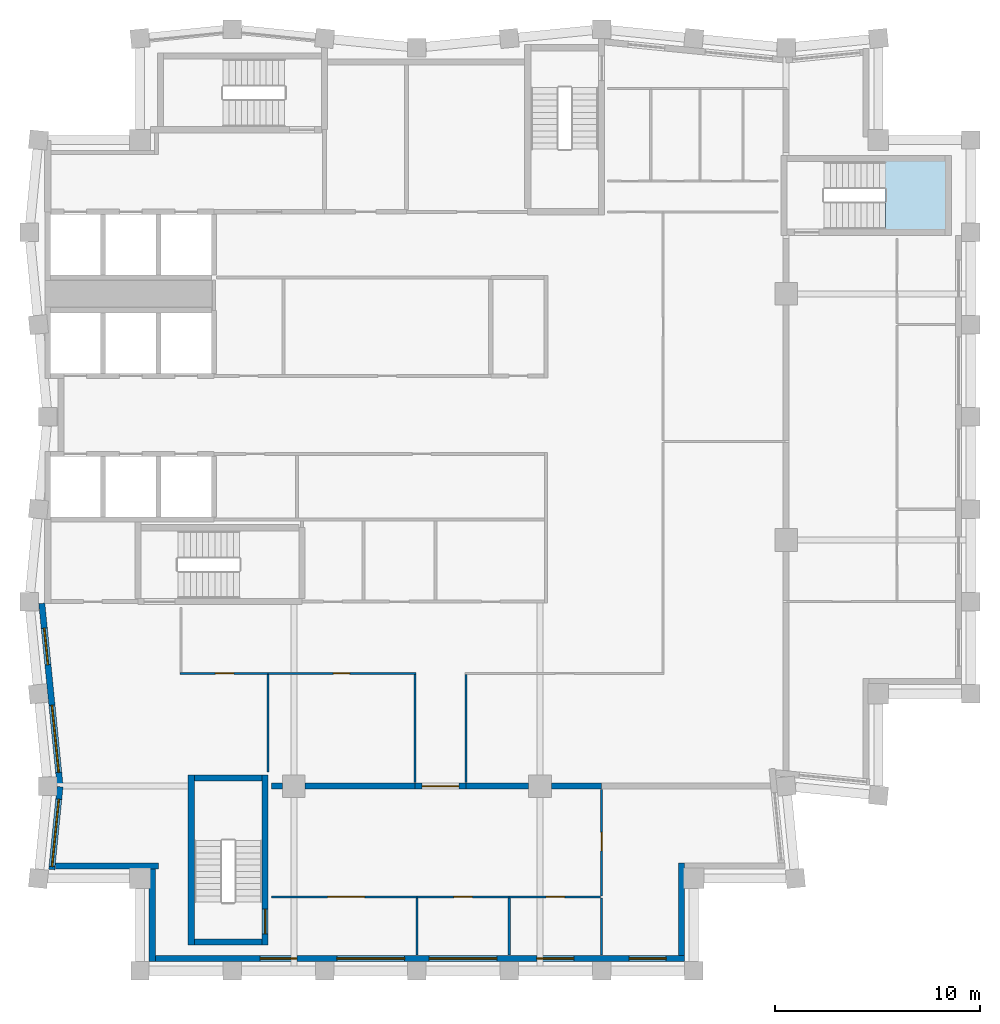
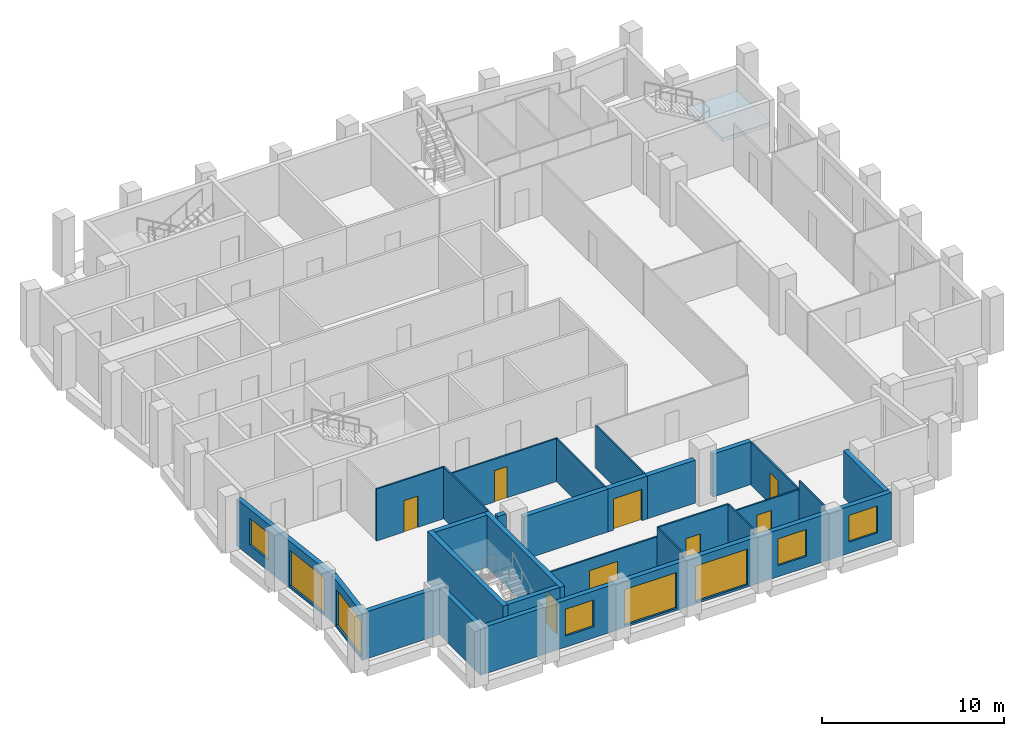
# One storey, part 2 of 7: 27 walls, 8 doors, 8 windows, 1 slab, 16 openings, 1 element without a shape of its own.
"""IFC4 building model written with IfcOpenShell, lengths in metres."""

from ifc_helpers import new_model, si_unit, direction, frame, frame_2d, origin, place, context, subcontext, project, spatial, polyline, rectangle, outline, extrude, material, layer, layer_set, type_object, element, fill, aggregate, save


model = new_model("IFC4")

# Units and contexts
model_context = context("Model", 3, precision=1e-05, world=origin(), true_north=direction((0.0, 1.0)))
body_context = subcontext(model_context, "Body", "Model", "MODEL_VIEW")
ifc_project = project(units=[si_unit("LENGTHUNIT", "METRE"), si_unit("AREAUNIT", "SQUARE_METRE"), si_unit("VOLUMEUNIT", "CUBIC_METRE"), si_unit("PLANEANGLEUNIT", "RADIAN"), si_unit("MASSUNIT", "GRAM", prefix="KILO")], contexts=[model_context])

# Site, building, storey
site_placement = place(None, origin())
site = spatial("IfcSite", under=ifc_project, at=site_placement, CompositionType="ELEMENT")
building_placement = place(site_placement, origin())
building = spatial("IfcBuilding", under=site, at=building_placement, Name="Brondeck Convention Tower", CompositionType="ELEMENT")
storey_placement = place(building_placement, frame((0.0, 0.0, 271.39990234375)))
storey = spatial("IfcBuildingStorey", under=building, at=storey_placement, Name="L67", CompositionType="ELEMENT", Elevation=271.39990234375)

# Stair, slab
ifc_material_1 = material(Name="Precast concrete C50/60", Category="concrete")
stair_type = type_object("IfcStairType", Name="Core stair 22 risers 172.73 mm riser 300 mm going 1350 wide", PredefinedType="HALF_TURN_STAIR", material=ifc_material_1)
stair_placement = place(storey_placement, origin())
stair = element("IfcStair", 1, at=stair_placement, inside=storey, type_object=stair_type, Name="ST-AE L67 stair", PredefinedType="HALF_TURN_STAIR")
ifc_layer_1 = layer(ifc_material_1, 0.25)
ifc_layer_set_1 = layer_set([ifc_layer_1], Name="Core stair landing 250 Precast concrete C50/60")
slab_type = type_object("IfcSlabType", Name="Core stair landing 250 Precast concrete C50/60", PredefinedType="LANDING", material=ifc_layer_set_1)
slab_placement = place(storey_placement, frame((0.0, 0.0, 1.650146484375)))
slab = element("IfcSlab", 2, at=slab_placement, type_object=slab_type, Name="ST-AE landing 1", PredefinedType="LANDING", context=body_context, shape_type="SweptSolid", body=[
    extrude(outline(polyline([(40.847900390625, 55.5), (40.85009765625, 55.5), (40.85009765625, 56.10009765625), (40.550048828125, 56.10009765625), (40.550048828125, 57.570068359375), (43.8701171875, 57.570068359375), (43.8701171875, 54.030029296875), (40.847900390625, 54.030029296875), (40.847900390625, 55.5)])), origin(), (0.0, 0.0, 1.0), 0.25),
])
aggregate(stair, [slab])

# Walls
ifc_material_2 = material(Name="Concrete compartment wall C30/37", Category="concrete")
ifc_layer_2 = layer(ifc_material_2, 0.300048828125)
ifc_layer_set_2 = layer_set([ifc_layer_2], Name="Compartment wall 300")
wall_type_1 = type_object("IfcWallType", Name="Compartment wall 300", PredefinedType="PARTITIONING", material=ifc_layer_set_2)
wall_1_placement = place(storey_placement, frame((10.89990234375, 27.0, 0.0), z_axis=(0.0, 0.0, 1.0), x_axis=(1.0, 0.0, 0.0)))
element("IfcWall", 3, at=wall_1_placement, inside=storey, type_object=wall_type_1, Name="FLR-L67-W013", PredefinedType="PARTITIONING", context=body_context, shape_type="SweptSolid", body=[
    extrude(rectangle(XDim=0.545166015625, YDim=0.300048828125, at=frame_2d((0.2724609375, 0.0))), origin(), (0.0, 0.0, 1.0), 3.47998046875),
])
wall_2_placement = place(storey_placement, frame((12.554931640625, 27.0, 0.0), z_axis=(0.0, 0.0, 1.0), x_axis=(1.0, 0.0, 0.0)))
element("IfcWall", 4, at=wall_2_placement, inside=storey, type_object=wall_type_1, Name="FLR-L67-W014", PredefinedType="PARTITIONING", context=body_context, shape_type="SweptSolid", body=[
    extrude(rectangle(XDim=5.344970703125, YDim=0.300048828125, at=frame_2d((2.67236328125, 0.0))), origin(), (0.0, 0.0, 1.0), 2.880126953125),
])

# Wall, opening, door
wall_3_placement = place(storey_placement, frame((20.39990234375, 27.0, 0.0), z_axis=(0.0, 0.0, 1.0), x_axis=(-1.0, 0.0, 0.0)))
wall_3 = element("IfcWall", 5, at=wall_3_placement, inside=storey, type_object=wall_type_1, Name="FLR-L67-W015", PredefinedType="PARTITIONING", context=body_context, shape_type="SweptSolid", body=[
    extrude(rectangle(XDim=2.5, YDim=0.300048828125, at=frame_2d((1.25, 0.0))), origin(), (0.0, 0.0, 1.0), 2.880126953125),
])
opening_1_placement = place(wall_3_placement, frame((0.35009765625, 0.0, 0.0)))
opening_1 = element("IfcOpeningElement", 6, at=opening_1_placement, cuts=wall_3, Name="Opening EX-C-018", PredefinedType="OPENING", context=body_context, shape_type="SweptSolid", body=[
    extrude(rectangle(XDim=1.800048828125, YDim=2.10009765625, at=frame_2d((0.89990234375, 1.050048828125))), frame((0.0, 0.159912109375, 0.0), z_axis=(0.0, -1.0, 0.0), x_axis=(1.0, 0.0, 0.0)), (0.0, 0.0, 1.0), 0.320068359375),
])
ifc_material_3 = material(Name="Steel fire door pair", Category="steel")
door_type_1 = type_object("IfcDoorType", Name="Fire door pair 1800", OperationType="DOUBLE_DOOR_SINGLE_SWING", PredefinedType="DOOR", material=ifc_material_3)
door_1_placement = place(opening_1_placement, origin())
door_1 = element("IfcDoor", 7, at=door_1_placement, inside=storey, type_object=door_type_1, Name="Door EX-C-018", OperationType="DOUBLE_DOOR_SINGLE_SWING", OverallHeight=2.10009765625, OverallWidth=1.800048828125, PredefinedType="DOOR", context=body_context, shape_type="SweptSolid", body=[
    extrude(rectangle(XDim=1.800048828125, YDim=2.10009765625, at=frame_2d((0.89990234375, 1.050048828125))), frame((0.0, 0.02490234375, 0.0), z_axis=(0.0, -1.0, 0.0), x_axis=(1.0, 0.0, 0.0)), (0.0, 0.0, 1.0), 0.050048828125),
])
fill(opening_1, door_1)

# Walls
wall_4_placement = place(storey_placement, frame((20.39990234375, 27.0, 0.0), z_axis=(0.0, 0.0, 1.0), x_axis=(1.0, 0.0, 0.0)))
element("IfcWall", 8, at=wall_4_placement, inside=storey, type_object=wall_type_1, Name="FLR-L67-W016", PredefinedType="PARTITIONING", context=body_context, shape_type="SweptSolid", body=[
    extrude(rectangle(XDim=3.045166015625, YDim=0.300048828125, at=frame_2d((1.5224609375, 0.0))), origin(), (0.0, 0.0, 1.0), 2.880126953125),
])
wall_5_placement = place(storey_placement, frame((24.554931640625, 27.0, 0.0), z_axis=(0.0, 0.0, 1.0), x_axis=(1.0, 0.0, 0.0)))
element("IfcWall", 9, at=wall_5_placement, inside=storey, type_object=wall_type_1, Name="FLR-L67-W017", PredefinedType="PARTITIONING", context=body_context, shape_type="SweptSolid", body=[
    extrude(rectangle(XDim=2.445068359375, YDim=0.300048828125, at=frame_2d((1.22265625, 0.0))), origin(), (0.0, 0.0, 1.0), 2.880126953125),
])

# Wall, openings, windows
ifc_material_4 = material(Name="Precast concrete C50/60 bronze finish", Category="concrete")
ifc_layer_3 = layer(ifc_material_4, 0.070068359375, Name="Bronze precast facing")
ifc_material_5 = material(Name="Mineral wool")
ifc_layer_4 = layer(ifc_material_5, 0.159912109375, Name="Insulation")
ifc_material_6 = material(Name="Concrete C35/45", Category="concrete")
ifc_layer_5 = layer(ifc_material_6, 0.070068359375, Name="Backing")
ifc_layer_set_3 = layer_set([ifc_layer_3, ifc_layer_4, ifc_layer_5], Name="External infill wall, precast concrete C50/60 bronze facing")
wall_type_2 = type_object("IfcWallType", Name="External infill wall, precast concrete C50/60 bronze facing", PredefinedType="SOLIDWALL", material=ifc_layer_set_3)
wall_6_placement = place(storey_placement, frame((31.050048828125, 18.60009765625, 0.0), z_axis=(0.0, 0.0, 1.0), x_axis=(-1.0, 0.0, 0.0)))
wall_6 = element("IfcWall", 10, at=wall_6_placement, inside=storey, type_object=wall_type_2, Name="ENV-EW-L67-P3-B-S18-01", PredefinedType="SOLIDWALL", context=body_context, shape_type="SweptSolid", body=[
    extrude(rectangle(XDim=25.800048828125, YDim=0.300048828125, at=frame_2d((12.89990234375, 0.0))), origin(), (0.0, 0.0, 1.0), 3.150146484375),
])
opening_2_placement = place(wall_6_placement, frame((0.89990234375, 0.0, 0.75)))
opening_2 = element("IfcOpeningElement", 11, at=opening_2_placement, cuts=wall_6, Name="Opening W10", PredefinedType="OPENING", context=body_context, shape_type="SweptSolid", body=[
    extrude(rectangle(XDim=1.800048828125, YDim=1.800048828125, at=frame_2d((0.89990234375, 0.89990234375))), frame((0.0, 0.159912109375, 0.0), z_axis=(0.0, -1.0, 0.0), x_axis=(1.0, 0.0, 0.0)), (0.0, 0.0, 1.0), 0.320068359375),
])
opening_3_placement = place(wall_6_placement, frame((5.39990234375, 0.0, 0.75)))
opening_3 = element("IfcOpeningElement", 12, at=opening_3_placement, cuts=wall_6, Name="Opening W10", PredefinedType="OPENING", context=body_context, shape_type="SweptSolid", body=[
    extrude(rectangle(XDim=1.800048828125, YDim=1.800048828125, at=frame_2d((0.89990234375, 0.89990234375))), frame((0.0, 0.159912109375, 0.0), z_axis=(0.0, -1.0, 0.0), x_axis=(1.0, 0.0, 0.0)), (0.0, 0.0, 1.0), 0.320068359375),
])
opening_4_placement = place(wall_6_placement, frame((9.14990234375, 0.0, 0.14990234375)))
opening_4 = element("IfcOpeningElement", 13, at=opening_4_placement, cuts=wall_6, Name="Opening W9", PredefinedType="OPENING", context=body_context, shape_type="SweptSolid", body=[
    extrude(rectangle(XDim=3.300048828125, YDim=2.39990234375, at=frame_2d((1.64990234375, 1.199951171875))), frame((0.0, 0.159912109375, 0.0), z_axis=(0.0, -1.0, 0.0), x_axis=(1.0, 0.0, 0.0)), (0.0, 0.0, 1.0), 0.320068359375),
])
opening_5_placement = place(wall_6_placement, frame((13.64990234375, 0.0, 0.14990234375)))
opening_5 = element("IfcOpeningElement", 14, at=opening_5_placement, cuts=wall_6, Name="Opening W9", PredefinedType="OPENING", context=body_context, shape_type="SweptSolid", body=[
    extrude(rectangle(XDim=3.300048828125, YDim=2.39990234375, at=frame_2d((1.64990234375, 1.199951171875))), frame((0.0, 0.159912109375, 0.0), z_axis=(0.0, -1.0, 0.0), x_axis=(1.0, 0.0, 0.0)), (0.0, 0.0, 1.0), 0.320068359375),
])
opening_6_placement = place(wall_6_placement, frame((18.89990234375, 0.0, 0.75)))
opening_6 = element("IfcOpeningElement", 15, at=opening_6_placement, cuts=wall_6, Name="Opening W10", PredefinedType="OPENING", context=body_context, shape_type="SweptSolid", body=[
    extrude(rectangle(XDim=1.800048828125, YDim=1.800048828125, at=frame_2d((0.89990234375, 0.89990234375))), frame((0.0, 0.159912109375, 0.0), z_axis=(0.0, -1.0, 0.0), x_axis=(1.0, 0.0, 0.0)), (0.0, 0.0, 1.0), 0.320068359375),
])
ifc_material_7 = material(Name="Bronze tinted double glazing", Category="glass")
window_type_1 = type_object("IfcWindowType", Name="Glazed flute window, bronze tinted", PartitioningType="SINGLE_PANEL", PredefinedType="WINDOW", material=ifc_material_7)
window_1_placement = place(opening_4_placement, origin())
window_1 = element("IfcWindow", 16, at=window_1_placement, inside=storey, type_object=window_type_1, Name="ENV-WN-L67-P3-B-S18-04", OverallHeight=2.39990234375, OverallWidth=3.300048828125, PartitioningType="SINGLE_PANEL", PredefinedType="WINDOW", context=body_context, shape_type="SweptSolid", body=[
    extrude(rectangle(XDim=3.300048828125, YDim=2.39990234375, at=frame_2d((1.64990234375, 1.199951171875))), frame((0.0, 0.030029296875, 0.0), z_axis=(0.0, -1.0, 0.0), x_axis=(1.0, 0.0, 0.0)), (0.0, 0.0, 1.0), 0.06005859375),
])
fill(opening_4, window_1)
window_2_placement = place(opening_5_placement, origin())
window_2 = element("IfcWindow", 17, at=window_2_placement, inside=storey, type_object=window_type_1, Name="ENV-WN-L67-P3-B-S18-03", OverallHeight=2.39990234375, OverallWidth=3.300048828125, PartitioningType="SINGLE_PANEL", PredefinedType="WINDOW", context=body_context, shape_type="SweptSolid", body=[
    extrude(rectangle(XDim=3.300048828125, YDim=2.39990234375, at=frame_2d((1.64990234375, 1.199951171875))), frame((0.0, 0.030029296875, 0.0), z_axis=(0.0, -1.0, 0.0), x_axis=(1.0, 0.0, 0.0)), (0.0, 0.0, 1.0), 0.06005859375),
])
fill(opening_5, window_2)
window_type_2 = type_object("IfcWindowType", Name="Punched window, bronze tinted", PartitioningType="SINGLE_PANEL", PredefinedType="WINDOW", material=ifc_material_7)
window_3_placement = place(opening_2_placement, origin())
window_3 = element("IfcWindow", 18, at=window_3_placement, inside=storey, type_object=window_type_2, Name="ENV-WN-L67-P3-B-S18-06", OverallHeight=1.800048828125, OverallWidth=1.800048828125, PartitioningType="SINGLE_PANEL", PredefinedType="WINDOW", context=body_context, shape_type="SweptSolid", body=[
    extrude(rectangle(XDim=1.800048828125, YDim=1.800048828125, at=frame_2d((0.89990234375, 0.89990234375))), frame((0.0, 0.030029296875, 0.0), z_axis=(0.0, -1.0, 0.0), x_axis=(1.0, 0.0, 0.0)), (0.0, 0.0, 1.0), 0.06005859375),
])
fill(opening_2, window_3)
window_4_placement = place(opening_3_placement, origin())
window_4 = element("IfcWindow", 19, at=window_4_placement, inside=storey, type_object=window_type_2, Name="ENV-WN-L67-P3-B-S18-05", OverallHeight=1.800048828125, OverallWidth=1.800048828125, PartitioningType="SINGLE_PANEL", PredefinedType="WINDOW", context=body_context, shape_type="SweptSolid", body=[
    extrude(rectangle(XDim=1.800048828125, YDim=1.800048828125, at=frame_2d((0.89990234375, 0.89990234375))), frame((0.0, 0.030029296875, 0.0), z_axis=(0.0, -1.0, 0.0), x_axis=(1.0, 0.0, 0.0)), (0.0, 0.0, 1.0), 0.06005859375),
])
fill(opening_3, window_4)
window_5_placement = place(opening_6_placement, origin())
window_5 = element("IfcWindow", 20, at=window_5_placement, inside=storey, type_object=window_type_2, Name="ENV-WN-L67-P3-B-S18-02", OverallHeight=1.800048828125, OverallWidth=1.800048828125, PartitioningType="SINGLE_PANEL", PredefinedType="WINDOW", context=body_context, shape_type="SweptSolid", body=[
    extrude(rectangle(XDim=1.800048828125, YDim=1.800048828125, at=frame_2d((0.89990234375, 0.89990234375))), frame((0.0, 0.030029296875, 0.0), z_axis=(0.0, -1.0, 0.0), x_axis=(1.0, 0.0, 0.0)), (0.0, 0.0, 1.0), 0.06005859375),
])
fill(opening_6, window_5)

# Wall
wall_7_placement = place(storey_placement, frame((30.89990234375, 23.25, 0.0), z_axis=(0.0, 0.0, 1.0), x_axis=(0.0, -1.0, 0.0)))
element("IfcWall", 21, at=wall_7_placement, inside=storey, type_object=wall_type_2, Name="ENV-EW-L67-P3-NC-SEB18-01", PredefinedType="SOLIDWALL", context=body_context, shape_type="SweptSolid", body=[
    extrude(rectangle(XDim=4.5, YDim=0.300048828125, at=frame_2d((2.25, 0.0))), origin(), (0.0, 0.0, 1.0), 3.150146484375),
])

# Wall, openings, windows
wall_8_placement = place(storey_placement, frame((0.6044921875, 26.985107421875, 0.0), z_axis=(0.0, 0.0, 1.0), x_axis=(-0.099509108728, 0.995036651225, 0.0)))
wall_8 = element("IfcWall", 22, at=wall_8_placement, inside=storey, type_object=wall_type_2, Name="ENV-EW-L67-P3-B-W-06", PredefinedType="SOLIDWALL", context=body_context, shape_type="SweptSolid", body=[
    extrude(rectangle(XDim=8.9697265625, YDim=0.300048828125, at=frame_2d((4.48486328125, 0.0))), origin(), (0.0, 0.0, 1.0), 3.150146484375),
])
opening_7_placement = place(wall_8_placement, frame((0.686279296875, 0.0, 0.14990234375)))
opening_7 = element("IfcOpeningElement", 23, at=opening_7_placement, cuts=wall_8, Name="Opening W9", PredefinedType="OPENING", context=body_context, shape_type="SweptSolid", body=[
    extrude(rectangle(XDim=3.300048828125, YDim=2.39990234375, at=frame_2d((1.64990234375, 1.199951171875))), frame((0.0, 0.159912109375, 0.0), z_axis=(0.0, -1.0, 0.0), x_axis=(1.0, 0.0, 0.0)), (0.0, 0.0, 1.0), 0.320068359375),
])
opening_8_placement = place(wall_8_placement, frame((5.95849609375, 0.0, 0.75)))
opening_8 = element("IfcOpeningElement", 24, at=opening_8_placement, cuts=wall_8, Name="Opening W10", PredefinedType="OPENING", context=body_context, shape_type="SweptSolid", body=[
    extrude(rectangle(XDim=1.800048828125, YDim=1.800048828125, at=frame_2d((0.89990234375, 0.89990234375))), frame((0.0, 0.159912109375, 0.0), z_axis=(0.0, -1.0, 0.0), x_axis=(1.0, 0.0, 0.0)), (0.0, 0.0, 1.0), 0.320068359375),
])
window_6_placement = place(opening_7_placement, origin())
window_6 = element("IfcWindow", 25, at=window_6_placement, inside=storey, type_object=window_type_1, Name="ENV-WN-L67-P3-B-W-07", OverallHeight=2.39990234375, OverallWidth=3.300048828125, PartitioningType="SINGLE_PANEL", PredefinedType="WINDOW", context=body_context, shape_type="SweptSolid", body=[
    extrude(rectangle(XDim=3.300048828125, YDim=2.39990234375, at=frame_2d((1.64990234375, 1.199951171875))), frame((0.0, 0.030029296875, 0.0), z_axis=(0.0, -1.0, 0.0), x_axis=(1.0, 0.0, 0.0)), (0.0, 0.0, 1.0), 0.06005859375),
])
fill(opening_7, window_6)
window_7_placement = place(opening_8_placement, origin())
window_7 = element("IfcWindow", 26, at=window_7_placement, inside=storey, type_object=window_type_2, Name="ENV-WN-L67-P3-B-W-06", OverallHeight=1.800048828125, OverallWidth=1.800048828125, PartitioningType="SINGLE_PANEL", PredefinedType="WINDOW", context=body_context, shape_type="SweptSolid", body=[
    extrude(rectangle(XDim=1.800048828125, YDim=1.800048828125, at=frame_2d((0.89990234375, 0.89990234375))), frame((0.0, 0.030029296875, 0.0), z_axis=(0.0, -1.0, 0.0), x_axis=(1.0, 0.0, 0.0)), (0.0, 0.0, 1.0), 0.06005859375),
])
fill(opening_8, window_7)

# Wall, opening, window
wall_9_placement = place(storey_placement, frame((0.196533203125, 22.93505859375, 0.0), z_axis=(0.0, 0.0, 1.0), x_axis=(0.09951564041, 0.995035997999, 0.0)))
wall_9 = element("IfcWall", 27, at=wall_9_placement, inside=storey, type_object=wall_type_2, Name="ENV-EW-L67-P3-B-W-08", PredefinedType="SOLIDWALL", context=body_context, shape_type="SweptSolid", body=[
    extrude(rectangle(XDim=4.05517578125, YDim=0.300048828125, at=frame_2d((2.027587890625, 0.0))), origin(), (0.0, 0.0, 1.0), 3.150146484375),
])
opening_9_placement = place(wall_9_placement, frame((0.14990234375, 0.0, 0.14990234375)))
opening_9 = element("IfcOpeningElement", 28, at=opening_9_placement, cuts=wall_9, Name="Opening W9", PredefinedType="OPENING", context=body_context, shape_type="SweptSolid", body=[
    extrude(rectangle(XDim=3.300048828125, YDim=2.39990234375, at=frame_2d((1.64990234375, 1.199951171875))), frame((0.0, 0.159912109375, 0.0), z_axis=(0.0, -1.0, 0.0), x_axis=(1.0, 0.0, 0.0)), (0.0, 0.0, 1.0), 0.320068359375),
])
window_8_placement = place(opening_9_placement, origin())
window_8 = element("IfcWindow", 29, at=window_8_placement, inside=storey, type_object=window_type_1, Name="ENV-WN-L67-P3-B-W-08", OverallHeight=2.39990234375, OverallWidth=3.300048828125, PartitioningType="SINGLE_PANEL", PredefinedType="WINDOW", context=body_context, shape_type="SweptSolid", body=[
    extrude(rectangle(XDim=3.300048828125, YDim=2.39990234375, at=frame_2d((1.64990234375, 1.199951171875))), frame((0.0, 0.030029296875, 0.0), z_axis=(0.0, -1.0, 0.0), x_axis=(1.0, 0.0, 0.0)), (0.0, 0.0, 1.0), 0.06005859375),
])
fill(opening_9, window_8)

# Walls
wall_10_placement = place(storey_placement, frame((5.39990234375, 23.10009765625, 0.0), z_axis=(0.0, 0.0, 1.0), x_axis=(-1.0, 0.0, 0.0)))
element("IfcWall", 30, at=wall_10_placement, inside=storey, type_object=wall_type_2, Name="ENV-EW-L67-P3-NC-SWB18-01", PredefinedType="SOLIDWALL", context=body_context, shape_type="SweptSolid", body=[
    extrude(rectangle(XDim=5.031005859375, YDim=0.300048828125, at=frame_2d((2.515625, 0.0))), origin(), (0.0, 0.0, 1.0), 3.150146484375),
])
wall_11_placement = place(storey_placement, frame((5.10009765625, 18.449951171875, 0.0), z_axis=(0.0, 0.0, 1.0), x_axis=(0.0, 1.0, 0.0)))
element("IfcWall", 31, at=wall_11_placement, inside=storey, type_object=wall_type_2, Name="ENV-EW-L67-P3-NC-SWB18-02", PredefinedType="SOLIDWALL", context=body_context, shape_type="SweptSolid", body=[
    extrude(rectangle(XDim=4.5, YDim=0.300048828125, at=frame_2d((2.25, 0.0))), origin(), (0.0, 0.0, 1.0), 3.150146484375),
])
ifc_material_8 = material(Name="Gypsum board partition on steel studs", Category="steel")
ifc_layer_6 = layer(ifc_material_8, 0.10009765625)
ifc_layer_set_4 = layer_set([ifc_layer_6], Name="Room partition 100")
wall_type_3 = type_object("IfcWallType", Name="Room partition 100", PredefinedType="PARTITIONING", material=ifc_layer_set_4)
for number, where, z_axis, x_axis, name in (
    (32, (18.0, 18.77001953125, 0.0), (0.0, 0.0, 1.0), (0.0, 1.0, 0.0), "FLR-L67-W001"),
    (33, (22.5, 18.77001953125, 0.0), (0.0, 0.0, 1.0), (0.0, 1.0, 0.0), "FLR-L67-W002"),
    (34, (27.0, 21.550048828125, 0.0), (0.0, 0.0, 1.0), (0.0, -1.0, 0.0), "FLR-L67-W005"),
):
    element("IfcWall", number, at=place(storey_placement, frame(where, z_axis=z_axis, x_axis=x_axis)), inside=storey, type_object=wall_type_3, Name=name, PredefinedType="PARTITIONING", context=body_context, shape_type="SweptSolid", body=[
        extrude(rectangle(XDim=2.780029296875, YDim=0.10009765625, at=frame_2d((1.39013671875, 0.0))), origin(), (0.0, 0.0, 1.0), 3.47998046875),
    ])

# Wall, opening, door
wall_12_placement = place(storey_placement, frame((18.0, 21.60009765625, 0.0), z_axis=(0.0, 0.0, 1.0), x_axis=(-1.0, 0.0, 0.0)))
wall_12 = element("IfcWall", 35, at=wall_12_placement, inside=storey, type_object=wall_type_3, Name="FLR-L67-W006", PredefinedType="PARTITIONING", context=body_context, shape_type="SweptSolid", body=[
    extrude(rectangle(XDim=7.10009765625, YDim=0.10009765625, at=frame_2d((3.550048828125, 0.0))), origin(), (0.0, 0.0, 1.0), 2.880126953125),
])
opening_10_placement = place(wall_12_placement, frame((2.550048828125, 0.0, 0.0)))
opening_10 = element("IfcOpeningElement", 36, at=opening_10_placement, cuts=wall_12, Name="Opening EX-C-007", PredefinedType="OPENING", context=body_context, shape_type="SweptSolid", body=[
    extrude(rectangle(XDim=1.800048828125, YDim=2.10009765625, at=frame_2d((0.89990234375, 1.050048828125))), frame((0.0, 0.06005859375, 0.0), z_axis=(0.0, -1.0, 0.0), x_axis=(1.0, 0.0, 0.0)), (0.0, 0.0, 1.0), 0.1201171875),
])
ifc_material_9 = material(Name="Glazed timber double door", Category="wood")
door_type_2 = type_object("IfcDoorType", Name="Double door 1800", OperationType="DOUBLE_DOOR_SINGLE_SWING", PredefinedType="DOOR", material=ifc_material_9)
door_2_placement = place(opening_10_placement, origin())
door_2 = element("IfcDoor", 37, at=door_2_placement, inside=storey, type_object=door_type_2, Name="Door EX-C-007", OperationType="DOUBLE_DOOR_SINGLE_SWING", OverallHeight=2.10009765625, OverallWidth=1.800048828125, PredefinedType="DOOR", context=body_context, shape_type="SweptSolid", body=[
    extrude(rectangle(XDim=1.800048828125, YDim=2.10009765625, at=frame_2d((0.89990234375, 1.050048828125))), frame((0.0, 0.02490234375, 0.0), z_axis=(0.0, -1.0, 0.0), x_axis=(1.0, 0.0, 0.0)), (0.0, 0.0, 1.0), 0.050048828125),
])
fill(opening_10, door_2)

wall_13_placement = place(storey_placement, frame((22.5, 21.60009765625, 0.0), z_axis=(0.0, 0.0, 1.0), x_axis=(-1.0, 0.0, 0.0)))
wall_13 = element("IfcWall", 38, at=wall_13_placement, inside=storey, type_object=wall_type_3, Name="FLR-L67-W007", PredefinedType="PARTITIONING", context=body_context, shape_type="SweptSolid", body=[
    extrude(rectangle(XDim=4.5, YDim=0.10009765625, at=frame_2d((2.25, 0.0))), origin(), (0.0, 0.0, 1.0), 3.47998046875),
])
opening_11_placement = place(wall_13_placement, frame((1.800048828125, 0.0, 0.0)))
opening_11 = element("IfcOpeningElement", 39, at=opening_11_placement, cuts=wall_13, Name="Opening EX-C-006", PredefinedType="OPENING", context=body_context, shape_type="SweptSolid", body=[
    extrude(rectangle(XDim=0.89990234375, YDim=2.10009765625, at=frame_2d((0.449951171875, 1.050048828125))), frame((0.0, 0.06005859375, 0.0), z_axis=(0.0, -1.0, 0.0), x_axis=(1.0, 0.0, 0.0)), (0.0, 0.0, 1.0), 0.1201171875),
])
ifc_material_10 = material(Name="Solid timber door leaf", Category="wood")
door_type_3 = type_object("IfcDoorType", Name="Single door 900", OperationType="NOTDEFINED", PredefinedType="DOOR", material=ifc_material_10)
door_3_placement = place(opening_11_placement, origin())
door_3 = element("IfcDoor", 40, at=door_3_placement, inside=storey, type_object=door_type_3, Name="Door EX-C-006", OperationType="SINGLE_SWING_LEFT", OverallHeight=2.10009765625, OverallWidth=0.89990234375, PredefinedType="DOOR", context=body_context, shape_type="SweptSolid", body=[
    extrude(rectangle(XDim=0.89990234375, YDim=2.10009765625, at=frame_2d((0.449951171875, 1.050048828125))), frame((0.0, 0.02490234375, 0.0), z_axis=(0.0, -1.0, 0.0), x_axis=(1.0, 0.0, 0.0)), (0.0, 0.0, 1.0), 0.050048828125),
])
fill(opening_11, door_3)

wall_14_placement = place(storey_placement, frame((26.949951171875, 21.60009765625, 0.0), z_axis=(0.0, 0.0, 1.0), x_axis=(-1.0, 0.0, 0.0)))
wall_14 = element("IfcWall", 41, at=wall_14_placement, inside=storey, type_object=wall_type_3, Name="FLR-L67-W008", PredefinedType="PARTITIONING", context=body_context, shape_type="SweptSolid", body=[
    extrude(rectangle(XDim=4.449951171875, YDim=0.10009765625, at=frame_2d((2.22509765625, 0.0))), origin(), (0.0, 0.0, 1.0), 2.880126953125),
])
opening_12_placement = place(wall_14_placement, frame((1.75, 0.0, 0.0)))
opening_12 = element("IfcOpeningElement", 42, at=opening_12_placement, cuts=wall_14, Name="Opening EX-C-005", PredefinedType="OPENING", context=body_context, shape_type="SweptSolid", body=[
    extrude(rectangle(XDim=0.89990234375, YDim=2.10009765625, at=frame_2d((0.449951171875, 1.050048828125))), frame((0.0, 0.06005859375, 0.0), z_axis=(0.0, -1.0, 0.0), x_axis=(1.0, 0.0, 0.0)), (0.0, 0.0, 1.0), 0.1201171875),
])
door_4_placement = place(opening_12_placement, origin())
door_4 = element("IfcDoor", 43, at=door_4_placement, inside=storey, type_object=door_type_3, Name="Door EX-C-005", OperationType="SINGLE_SWING_RIGHT", OverallHeight=2.10009765625, OverallWidth=0.89990234375, PredefinedType="DOOR", context=body_context, shape_type="SweptSolid", body=[
    extrude(rectangle(XDim=0.89990234375, YDim=2.10009765625, at=frame_2d((0.449951171875, 1.050048828125))), frame((0.0, 0.02490234375, 0.0), z_axis=(0.0, -1.0, 0.0), x_axis=(1.0, 0.0, 0.0)), (0.0, 0.0, 1.0), 0.050048828125),
])
fill(opening_12, door_4)

wall_15_placement = place(storey_placement, frame((27.0, 26.830078125, 0.0), z_axis=(0.0, 0.0, 1.0), x_axis=(0.0, -1.0, 0.0)))
wall_15 = element("IfcWall", 44, at=wall_15_placement, inside=storey, type_object=wall_type_3, Name="FLR-L67-W011", PredefinedType="PARTITIONING", context=body_context, shape_type="SweptSolid", body=[
    extrude(rectangle(XDim=5.18017578125, YDim=0.10009765625, at=frame_2d((2.590087890625, 0.0))), origin(), (0.0, 0.0, 1.0), 2.880126953125),
])
opening_13_placement = place(wall_15_placement, frame((2.080078125, 0.0, 0.0)))
opening_13 = element("IfcOpeningElement", 45, at=opening_13_placement, cuts=wall_15, Name="Opening EX-C-008", PredefinedType="OPENING", context=body_context, shape_type="SweptSolid", body=[
    extrude(rectangle(XDim=0.89990234375, YDim=2.10009765625, at=frame_2d((0.449951171875, 1.050048828125))), frame((0.0, 0.06005859375, 0.0), z_axis=(0.0, -1.0, 0.0), x_axis=(1.0, 0.0, 0.0)), (0.0, 0.0, 1.0), 0.1201171875),
])
door_5_placement = place(opening_13_placement, origin())
door_5 = element("IfcDoor", 46, at=door_5_placement, inside=storey, type_object=door_type_3, Name="Door EX-C-008", OperationType="SINGLE_SWING_LEFT", OverallHeight=2.10009765625, OverallWidth=0.89990234375, PredefinedType="DOOR", context=body_context, shape_type="SweptSolid", body=[
    extrude(rectangle(XDim=0.89990234375, YDim=2.10009765625, at=frame_2d((0.449951171875, 1.050048828125))), frame((0.0, 0.02490234375, 0.0), z_axis=(0.0, -1.0, 0.0), x_axis=(1.0, 0.0, 0.0)), (0.0, 0.0, 1.0), 0.050048828125),
])
fill(opening_13, door_5)

# Walls
wall_16_placement = place(storey_placement, frame((17.89990234375, 27.169921875, 0.0), z_axis=(0.0, 0.0, 1.0), x_axis=(0.0, 1.0, 0.0)))
element("IfcWall", 47, at=wall_16_placement, inside=storey, type_object=wall_type_3, Name="FLR-L67-W019", PredefinedType="PARTITIONING", context=body_context, shape_type="SweptSolid", body=[
    extrude(rectangle(XDim=5.280029296875, YDim=0.10009765625, at=frame_2d((2.64013671875, 0.0))), origin(), (0.0, 0.0, 1.0), 2.880126953125),
])
wall_17_placement = place(storey_placement, frame((10.748046875, 32.449951171875, 0.0), z_axis=(0.0, 0.0, 1.0), x_axis=(0.0, -1.0, 0.0)))
element("IfcWall", 48, at=wall_17_placement, inside=storey, type_object=wall_type_3, Name="FLR-L67-W023", PredefinedType="PARTITIONING", context=body_context, shape_type="SweptSolid", body=[
    extrude(rectangle(XDim=4.75, YDim=0.10009765625, at=frame_2d((2.375, 0.0))), origin(), (0.0, 0.0, 1.0), 3.47998046875),
])
wall_18_placement = place(storey_placement, frame((20.39990234375, 32.449951171875, 0.0), z_axis=(0.0, 0.0, 1.0), x_axis=(0.0, -1.0, 0.0)))
element("IfcWall", 49, at=wall_18_placement, inside=storey, type_object=wall_type_3, Name="FLR-L67-W024", PredefinedType="PARTITIONING", context=body_context, shape_type="SweptSolid", body=[
    extrude(rectangle(XDim=5.280029296875, YDim=0.10009765625, at=frame_2d((2.64013671875, 0.0))), origin(), (0.0, 0.0, 1.0), 2.880126953125),
])

# Wall, opening, door
wall_19_placement = place(storey_placement, frame((10.748046875, 32.5, 0.0), z_axis=(0.0, 0.0, 1.0), x_axis=(-1.0, 0.0, 0.0)))
wall_19 = element("IfcWall", 50, at=wall_19_placement, inside=storey, type_object=wall_type_3, Name="FLR-L67-W025", PredefinedType="PARTITIONING", context=body_context, shape_type="SweptSolid", body=[
    extrude(rectangle(XDim=4.298095703125, YDim=0.10009765625, at=frame_2d((2.14892578125, 0.0))), origin(), (0.0, 0.0, 1.0), 3.47998046875),
])
opening_14_placement = place(wall_19_placement, frame((1.674072265625, 0.0, 0.0)))
opening_14 = element("IfcOpeningElement", 51, at=opening_14_placement, cuts=wall_19, Name="Opening EX-C-014", PredefinedType="OPENING", context=body_context, shape_type="SweptSolid", body=[
    extrude(rectangle(XDim=0.89990234375, YDim=2.10009765625, at=frame_2d((0.449951171875, 1.050048828125))), frame((0.0, 0.06005859375, 0.0), z_axis=(0.0, -1.0, 0.0), x_axis=(1.0, 0.0, 0.0)), (0.0, 0.0, 1.0), 0.1201171875),
])
door_6_placement = place(opening_14_placement, origin())
door_6 = element("IfcDoor", 52, at=door_6_placement, inside=storey, type_object=door_type_3, Name="Door EX-C-014", OperationType="SINGLE_SWING_LEFT", OverallHeight=2.10009765625, OverallWidth=0.89990234375, PredefinedType="DOOR", context=body_context, shape_type="SweptSolid", body=[
    extrude(rectangle(XDim=0.89990234375, YDim=2.10009765625, at=frame_2d((0.449951171875, 1.050048828125))), frame((0.0, 0.02490234375, 0.0), z_axis=(0.0, -1.0, 0.0), x_axis=(1.0, 0.0, 0.0)), (0.0, 0.0, 1.0), 0.050048828125),
])
fill(opening_14, door_6)

wall_20_placement = place(storey_placement, frame((17.949951171875, 32.5, 0.0), z_axis=(0.0, 0.0, 1.0), x_axis=(-1.0, 0.0, 0.0)))
wall_20 = element("IfcWall", 53, at=wall_20_placement, inside=storey, type_object=wall_type_3, Name="FLR-L67-W026", PredefinedType="PARTITIONING", context=body_context, shape_type="SweptSolid", body=[
    extrude(rectangle(XDim=7.201904296875, YDim=0.10009765625, at=frame_2d((3.60107421875, 0.0))), origin(), (0.0, 0.0, 1.0), 2.880126953125),
])
opening_15_placement = place(wall_20_placement, frame((3.22607421875, 0.0, 0.0)))
opening_15 = element("IfcOpeningElement", 54, at=opening_15_placement, cuts=wall_20, Name="Opening EX-C-015", PredefinedType="OPENING", context=body_context, shape_type="SweptSolid", body=[
    extrude(rectangle(XDim=0.800048828125, YDim=2.10009765625, at=frame_2d((0.39990234375, 1.050048828125))), frame((0.0, 0.06005859375, 0.0), z_axis=(0.0, -1.0, 0.0), x_axis=(1.0, 0.0, 0.0)), (0.0, 0.0, 1.0), 0.1201171875),
])
door_type_4 = type_object("IfcDoorType", Name="En-suite door 800", OperationType="NOTDEFINED", PredefinedType="DOOR", material=ifc_material_10)
door_7_placement = place(opening_15_placement, origin())
door_7 = element("IfcDoor", 55, at=door_7_placement, inside=storey, type_object=door_type_4, Name="Door EX-C-015", OperationType="SINGLE_SWING_LEFT", OverallHeight=2.10009765625, OverallWidth=0.800048828125, PredefinedType="DOOR", context=body_context, shape_type="SweptSolid", body=[
    extrude(rectangle(XDim=0.800048828125, YDim=2.10009765625, at=frame_2d((0.39990234375, 1.050048828125))), frame((0.0, 0.02490234375, 0.0), z_axis=(0.0, -1.0, 0.0), x_axis=(1.0, 0.0, 0.0)), (0.0, 0.0, 1.0), 0.050048828125),
])
fill(opening_15, door_7)

# Walls
ifc_material_11 = material(Name="Concrete C50/60", Category="concrete")
ifc_layer_7 = layer(ifc_material_11, 0.300048828125)
ifc_layer_set_5 = layer_set([ifc_layer_7], Name="Stair enclosure wall 300 Concrete C50/60")
wall_type_4 = type_object("IfcWallType", Name="Stair enclosure wall 300 Concrete C50/60", PredefinedType="SHEAR", material=ifc_layer_set_5)
for number, where, z_axis, x_axis, name in (
    (56, (7.14990234375, 19.39990234375, 0.0), (0.0, 0.0, 1.0), (1.0, 0.0, 0.0), "L67 core wall"),
    (57, (7.14990234375, 27.39990234375, 0.0), (0.0, 0.0, 1.0), (1.0, 0.0, 0.0), "L67 core wall"),
):
    element("IfcWall", number, at=place(storey_placement, frame(where, z_axis=z_axis, x_axis=x_axis)), inside=storey, type_object=wall_type_4, Name=name, PredefinedType="SHEAR", context=body_context, shape_type="SweptSolid", body=[
        extrude(rectangle(XDim=3.300048828125, YDim=0.300048828125, at=frame_2d((1.64990234375, 0.0))), origin(), (0.0, 0.0, 1.0), 3.5),
    ])
wall_21_placement = place(storey_placement, frame((7.0, 19.25, 0.0), z_axis=(0.0, 0.0, 1.0), x_axis=(0.0, 1.0, 0.0)))
element("IfcWall", 58, at=wall_21_placement, inside=storey, type_object=wall_type_4, Name="L67 core wall", PredefinedType="SHEAR", context=body_context, shape_type="SweptSolid", body=[
    extrude(rectangle(XDim=8.300048828125, YDim=0.300048828125, at=frame_2d((4.14990234375, 0.0))), origin(), (0.0, 0.0, 1.0), 3.5),
])

# Wall, opening, door
wall_22_placement = place(storey_placement, frame((10.60009765625, 19.25, 0.0), z_axis=(0.0, 0.0, 1.0), x_axis=(0.0, 1.0, 0.0)))
wall_22 = element("IfcWall", 59, at=wall_22_placement, inside=storey, type_object=wall_type_4, Name="L67 core wall", PredefinedType="SHEAR", context=body_context, shape_type="SweptSolid", body=[
    extrude(rectangle(XDim=8.300048828125, YDim=0.300048828125, at=frame_2d((4.14990234375, 0.0))), origin(), (0.0, 0.0, 1.0), 3.5),
])
opening_16_placement = place(wall_22_placement, frame((0.550048828125, 0.0, 0.0)))
opening_16 = element("IfcOpeningElement", 60, at=opening_16_placement, cuts=wall_22, Name="Opening C37-17", PredefinedType="OPENING", context=body_context, shape_type="SweptSolid", body=[
    extrude(rectangle(XDim=1.199951171875, YDim=2.199951171875, at=frame_2d((0.60009765625, 1.10009765625))), frame((0.0, 0.159912109375, 0.0), z_axis=(0.0, -1.0, 0.0), x_axis=(1.0, 0.0, 0.0)), (0.0, 0.0, 1.0), 0.320068359375),
])
ifc_material_12 = material(Name="Steel fire door", Category="steel")
door_type_5 = type_object("IfcDoorType", Name="Stair door 1200x2200 EI 90", OperationType="NOTDEFINED", PredefinedType="DOOR", material=ifc_material_12)
door_8_placement = place(opening_16_placement, origin())
door_8 = element("IfcDoor", 61, at=door_8_placement, inside=storey, type_object=door_type_5, Name="L67 Stair door ST-BE", OperationType="SINGLE_SWING_RIGHT", OverallHeight=2.199951171875, OverallWidth=1.199951171875, PredefinedType="DOOR", context=body_context, shape_type="SweptSolid", body=[
    extrude(rectangle(XDim=1.199951171875, YDim=2.199951171875, at=frame_2d((0.60009765625, 1.10009765625))), frame((0.0, 0.02490234375, 0.0), z_axis=(0.0, -1.0, 0.0), x_axis=(1.0, 0.0, 0.0)), (0.0, 0.0, 1.0), 0.050048828125),
])
fill(opening_16, door_8)

save(model, "model.ifc")
